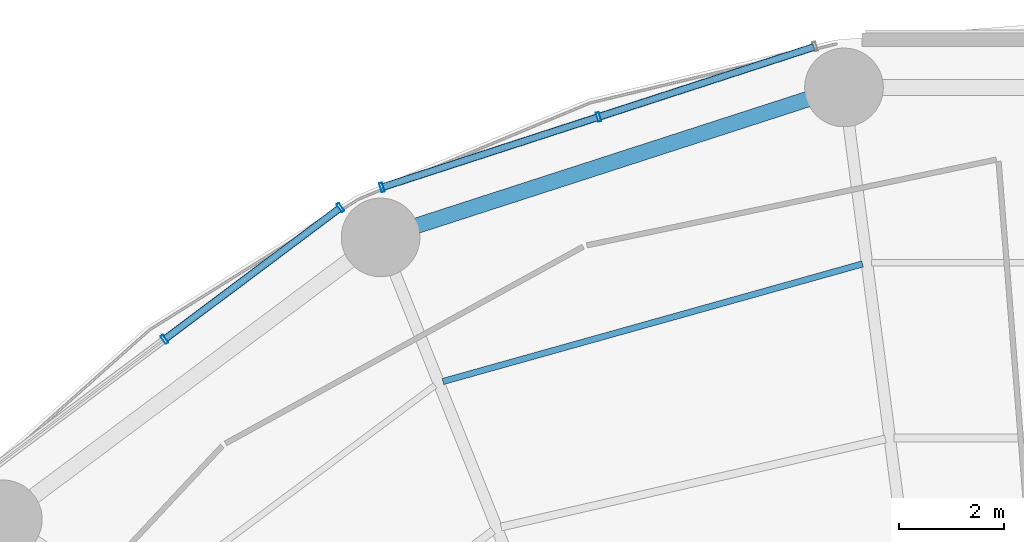
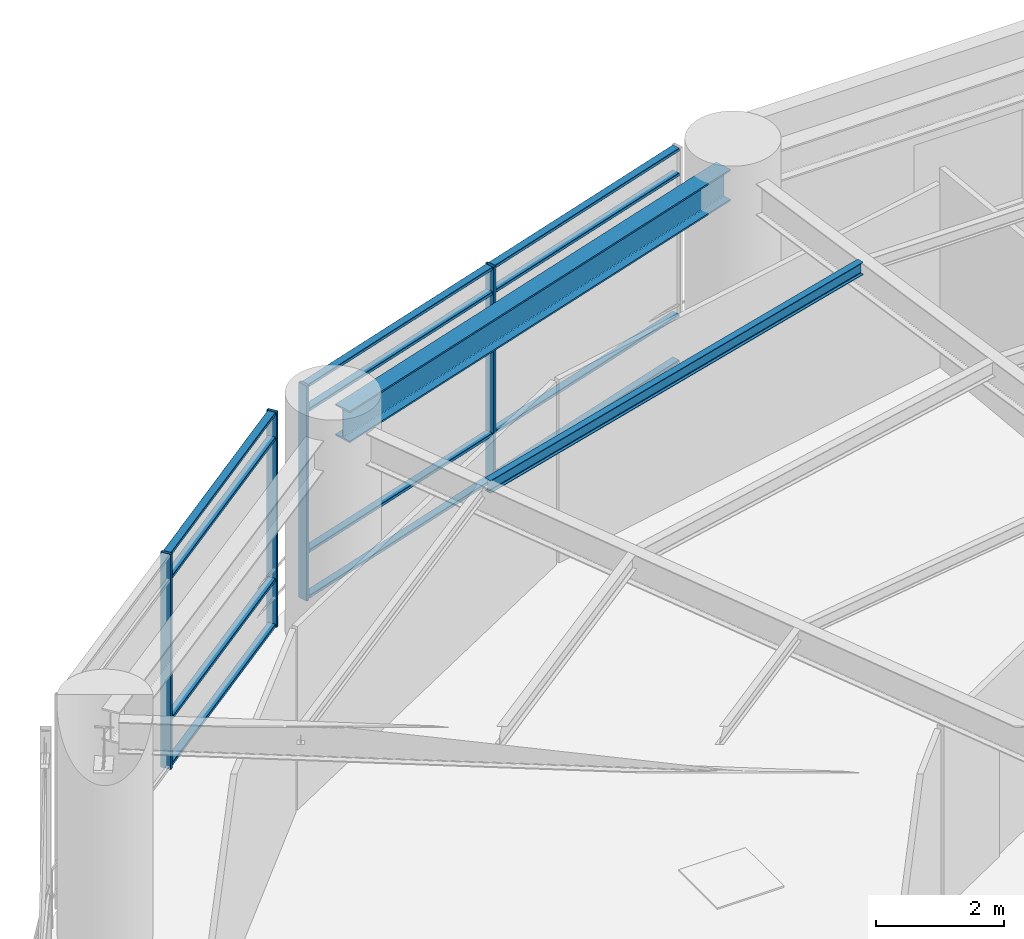
# One storey, part 31 of 52: 16 members, 2 beams, 2 elements without a shape of their own.
"""IFC4 building model written with IfcOpenShell, lengths in metres."""

from ifc_helpers import new_model, si_unit, direction, frame, origin, origin_2d, place, context, subcontext, project, spatial, hollow_rectangle, i_section, extrude, material, layer, layer_set, material_profile, profile_set, type_object, element, aggregate, save


model = new_model("IFC4")

# Units and contexts
model_context = context("Model", 3, precision=1e-05, world=origin(), true_north=direction((0.0, 1.0)))
body_context = subcontext(model_context, "Body", "Model", "MODEL_VIEW")
ifc_project = project(units=[si_unit("LENGTHUNIT", "METRE"), si_unit("AREAUNIT", "SQUARE_METRE"), si_unit("VOLUMEUNIT", "CUBIC_METRE"), si_unit("PLANEANGLEUNIT", "RADIAN"), si_unit("MASSUNIT", "GRAM", prefix="KILO")], contexts=[model_context])

# Site, building, storey
site_placement = place(None, origin())
site = spatial("IfcSite", under=ifc_project, at=site_placement, CompositionType="ELEMENT")
building_placement = place(site_placement, origin())
building = spatial("IfcBuilding", under=site, at=building_placement, Name="Kelanora Arch Commons", CompositionType="ELEMENT")
storey_placement = place(building_placement, frame((0.0, 0.0, 13.5)))
storey = spatial("IfcBuildingStorey", under=building, at=storey_placement, Name="L03", CompositionType="ELEMENT", Elevation=13.5)

# Beams
ifc_material_1 = material(Name="Steel S355", Category="steel")
ifc_material_profile_1 = material_profile(ifc_material_1, i_section(OverallWidth=0.1201171875, OverallDepth=0.239990234375, WebThickness=0.006103515625, FlangeThickness=0.009765625, FilletRadius=0.014892578125, at=origin_2d()), Name="IPE240")
ifc_profile_set_1 = profile_set([ifc_material_profile_1], Name="Steel S355")
beam_type_1 = type_object("IfcBeamType", Name="BM-JST-02", PredefinedType="JOIST", material=ifc_profile_set_1)
beam_1_placement = place(storey_placement, frame((69.652099609375, 78.348388671875, 3.97998046875), z_axis=(-0.962914880978, -0.269805359456, 0.0), x_axis=(0.269805359456, -0.962914880978, 0.0)))
element("IfcBeam", 1, at=beam_1_placement, inside=storey, type_object=beam_type_1, Name="Secondary Chord Joist BJC-10 L03", PredefinedType="JOIST", context=body_context, shape_type="SweptSolid", body=[
    extrude(i_section(OverallWidth=0.1201171875, OverallDepth=0.239990234375, WebThickness=0.006103515625, FlangeThickness=0.009765625, FilletRadius=0.014892578125, at=origin_2d()), origin(), (0.0, 0.0, 1.0), 8.310302734375),
])
ifc_material_profile_2 = material_profile(ifc_material_1, i_section(OverallWidth=0.300048828125, OverallDepth=0.60009765625, WebThickness=0.015380859375, FlangeThickness=0.030029296875, FilletRadius=0.027099609375, at=origin_2d()), Name="HEB600")
ifc_profile_set_2 = profile_set([ifc_material_profile_2], Name="Steel S355")
beam_type_2 = type_object("IfcBeamType", Name="BM-SPN-Z1", PredefinedType="SPANDREL", material=ifc_profile_set_2)
beam_2_placement = place(storey_placement, frame((69.08837890625, 81.646484375, 3.800048828125), z_axis=(-0.951411479564, -0.307922387224, 0.0), x_axis=(0.307922387224, -0.951411479564, 0.0)))
element("IfcBeam", 2, at=beam_2_placement, inside=storey, type_object=beam_type_2, Name="Perimeter Spandrel Beam BS-10 L03", PredefinedType="SPANDREL", context=body_context, shape_type="SweptSolid", body=[
    extrude(i_section(OverallWidth=0.300048828125, OverallDepth=0.60009765625, WebThickness=0.015380859375, FlangeThickness=0.030029296875, FilletRadius=0.027099609375, at=origin_2d()), origin(), (0.0, 0.0, 1.0), 8.84912109375),
])

# Curtain wall, members
ifc_material_2 = material(Name="Terracotta ceramic-fritted low-E glass and aluminium", Category="masonry")
ifc_layer = layer(ifc_material_2, 0.2099609375)
ifc_layer_set = layer_set([ifc_layer], Name="Terracotta ceramic-fritted low-E glass and aluminium")
curtain_wall_type = type_object("IfcCurtainWallType", Name="CW-SYS-04", PredefinedType="NOTDEFINED", material=ifc_layer_set)
curtain_wall_1_placement = place(storey_placement, origin())
curtain_wall_1 = element("IfcCurtainWall", 3, at=curtain_wall_1_placement, inside=storey, type_object=curtain_wall_type, Name="Unitised Curtain Wall L03-B05", PredefinedType="NOTDEFINED")
ifc_material_3 = material(Name="Powder-coated aluminium terracotta", Category="masonry")
ifc_material_profile_3 = material_profile(ifc_material_3, hollow_rectangle(XDim=0.179931640625, YDim=0.06005859375, WallThickness=0.0048828125, InnerFilletRadius=0.0048828125, OuterFilletRadius=0.010009765625, at=origin_2d()), Name="CWM180x60")
ifc_profile_set_3 = profile_set([ifc_material_profile_3], Name="Powder-coated aluminium terracotta")
member_type_1 = type_object("IfcMemberType", Name="CWM-HVY", PredefinedType="MULLION", material=ifc_profile_set_3)
member_1_placement = place(storey_placement, frame((64.61669921875, 81.15087890625, 0.0), z_axis=(0.0, 0.0, 1.0), x_axis=(0.309069531911, -0.951039444211, 0.0)))
member_1 = element("IfcMember", 4, at=member_1_placement, type_object=member_type_1, Name="CW-04 mullion 2", PredefinedType="MULLION", context=body_context, shape_type="SweptSolid", body=[
    extrude(hollow_rectangle(XDim=0.179931640625, YDim=0.06005859375, WallThickness=0.0048828125, InnerFilletRadius=0.0048828125, OuterFilletRadius=0.010009765625, at=origin_2d()), origin(), (0.0, 0.0, 1.0), 4.0849609375),
])
member_2_placement = place(storey_placement, frame((60.48486328125, 79.80810546875, 0.0), z_axis=(0.0, 0.0, 1.0), x_axis=(0.309069531911, -0.951039444211, 0.0)))
member_2 = element("IfcMember", 5, at=member_2_placement, type_object=member_type_1, Name="CW-04 mullion 3", PredefinedType="MULLION", context=body_context, shape_type="SweptSolid", body=[
    extrude(hollow_rectangle(XDim=0.179931640625, YDim=0.06005859375, WallThickness=0.0048828125, InnerFilletRadius=0.0048828125, OuterFilletRadius=0.010009765625, at=origin_2d()), origin(), (0.0, 0.0, 1.0), 4.0849609375),
])

curtain_wall_2_placement = place(storey_placement, origin())
curtain_wall_2 = element("IfcCurtainWall", 6, at=curtain_wall_2_placement, inside=storey, type_object=curtain_wall_type, Name="Unitised Curtain Wall L03-B06", PredefinedType="NOTDEFINED")
member_3_placement = place(storey_placement, frame((59.6943359375, 79.421630859375, 0.0), z_axis=(0.0, 0.0, 1.0), x_axis=(0.59959262407, -0.800305369944, 0.0)))
member_3 = element("IfcMember", 7, at=member_3_placement, type_object=member_type_1, Name="CW-04 mullion 1", PredefinedType="MULLION", context=body_context, shape_type="SweptSolid", body=[
    extrude(hollow_rectangle(XDim=0.179931640625, YDim=0.06005859375, WallThickness=0.0048828125, InnerFilletRadius=0.0048828125, OuterFilletRadius=0.010009765625, at=origin_2d()), origin(), (0.0, 0.0, 1.0), 4.0849609375),
])
member_4_placement = place(storey_placement, frame((56.3388671875, 76.90771484375, 0.0), z_axis=(0.0, 0.0, 1.0), x_axis=(0.59959262407, -0.800305369944, 0.0)))
member_4 = element("IfcMember", 8, at=member_4_placement, type_object=member_type_1, Name="CW-04 mullion 2", PredefinedType="MULLION", context=body_context, shape_type="SweptSolid", body=[
    extrude(hollow_rectangle(XDim=0.179931640625, YDim=0.06005859375, WallThickness=0.0048828125, InnerFilletRadius=0.0048828125, OuterFilletRadius=0.010009765625, at=origin_2d()), origin(), (0.0, 0.0, 1.0), 4.0849609375),
])

# Member
ifc_material_profile_4 = material_profile(ifc_material_3, hollow_rectangle(XDim=0.139892578125, YDim=0.06005859375, WallThickness=0.0048828125, InnerFilletRadius=0.0048828125, OuterFilletRadius=0.010009765625, at=origin_2d()), Name="CWT140x60")
ifc_profile_set_4 = profile_set([ifc_material_profile_4], Name="Powder-coated aluminium terracotta")
member_type_2 = type_object("IfcMemberType", Name="CWT-HVY", PredefinedType="USERDEFINED", material=ifc_profile_set_4)
member_5_placement = place(storey_placement, frame((68.719970703125, 82.484375, 0.030029296875), z_axis=(-0.951038256166, -0.309073187624, 0.0), x_axis=(0.309073187624, -0.951038256166, 0.0)))
member_5 = element("IfcMember", 9, at=member_5_placement, type_object=member_type_2, Name="CW-04 transom 1.1", ObjectType="TRANSOM", PredefinedType="USERDEFINED", context=body_context, shape_type="SweptSolid", body=[
    extrude(hollow_rectangle(XDim=0.139892578125, YDim=0.06005859375, WallThickness=0.0048828125, InnerFilletRadius=0.0048828125, OuterFilletRadius=0.010009765625, at=origin_2d()), origin(), (0.0, 0.0, 1.0), 4.284423828125),
])

member_6_placement = place(storey_placement, frame((68.719970703125, 82.484375, 0.89990234375), z_axis=(-0.951038256166, -0.309073187624, 0.0), x_axis=(0.309073187624, -0.951038256166, 0.0)))
member_6 = element("IfcMember", 10, at=member_6_placement, type_object=member_type_2, Name="CW-04 transom 1.2", ObjectType="TRANSOM", PredefinedType="USERDEFINED", context=body_context, shape_type="SweptSolid", body=[
    extrude(hollow_rectangle(XDim=0.139892578125, YDim=0.06005859375, WallThickness=0.0048828125, InnerFilletRadius=0.0048828125, OuterFilletRadius=0.010009765625, at=origin_2d()), origin(), (0.0, 0.0, 1.0), 4.284423828125),
])

member_7_placement = place(storey_placement, frame((68.719970703125, 82.484375, 3.5849609375), z_axis=(-0.951038256166, -0.309073187624, 0.0), x_axis=(0.309073187624, -0.951038256166, 0.0)))
member_7 = element("IfcMember", 11, at=member_7_placement, type_object=member_type_2, Name="CW-04 transom 1.3", ObjectType="TRANSOM", PredefinedType="USERDEFINED", context=body_context, shape_type="SweptSolid", body=[
    extrude(hollow_rectangle(XDim=0.139892578125, YDim=0.06005859375, WallThickness=0.0048828125, InnerFilletRadius=0.0048828125, OuterFilletRadius=0.010009765625, at=origin_2d()), origin(), (0.0, 0.0, 1.0), 4.284423828125),
])

member_8_placement = place(storey_placement, frame((68.719970703125, 82.484375, 4.054931640625), z_axis=(-0.951038256166, -0.309073187624, 0.0), x_axis=(0.309073187624, -0.951038256166, 0.0)))
member_8 = element("IfcMember", 12, at=member_8_placement, type_object=member_type_2, Name="CW-04 transom 1.4", ObjectType="TRANSOM", PredefinedType="USERDEFINED", context=body_context, shape_type="SweptSolid", body=[
    extrude(hollow_rectangle(XDim=0.139892578125, YDim=0.06005859375, WallThickness=0.0048828125, InnerFilletRadius=0.0048828125, OuterFilletRadius=0.010009765625, at=origin_2d()), origin(), (0.0, 0.0, 1.0), 4.284423828125),
])

member_9_placement = place(storey_placement, frame((64.588134765625, 81.1416015625, 0.030029296875), z_axis=(-0.951038256166, -0.309073187624, 0.0), x_axis=(0.309073187624, -0.951038256166, 0.0)))
member_9 = element("IfcMember", 13, at=member_9_placement, type_object=member_type_2, Name="CW-04 transom 2.1", ObjectType="TRANSOM", PredefinedType="USERDEFINED", context=body_context, shape_type="SweptSolid", body=[
    extrude(hollow_rectangle(XDim=0.139892578125, YDim=0.06005859375, WallThickness=0.0048828125, InnerFilletRadius=0.0048828125, OuterFilletRadius=0.010009765625, at=origin_2d()), origin(), (0.0, 0.0, 1.0), 4.284423828125),
])

member_10_placement = place(storey_placement, frame((64.588134765625, 81.1416015625, 0.89990234375), z_axis=(-0.951038256166, -0.309073187624, 0.0), x_axis=(0.309073187624, -0.951038256166, 0.0)))
member_10 = element("IfcMember", 14, at=member_10_placement, type_object=member_type_2, Name="CW-04 transom 2.2", ObjectType="TRANSOM", PredefinedType="USERDEFINED", context=body_context, shape_type="SweptSolid", body=[
    extrude(hollow_rectangle(XDim=0.139892578125, YDim=0.06005859375, WallThickness=0.0048828125, InnerFilletRadius=0.0048828125, OuterFilletRadius=0.010009765625, at=origin_2d()), origin(), (0.0, 0.0, 1.0), 4.284423828125),
])

member_11_placement = place(storey_placement, frame((64.588134765625, 81.1416015625, 3.5849609375), z_axis=(-0.951038256166, -0.309073187624, 0.0), x_axis=(0.309073187624, -0.951038256166, 0.0)))
member_11 = element("IfcMember", 15, at=member_11_placement, type_object=member_type_2, Name="CW-04 transom 2.3", ObjectType="TRANSOM", PredefinedType="USERDEFINED", context=body_context, shape_type="SweptSolid", body=[
    extrude(hollow_rectangle(XDim=0.139892578125, YDim=0.06005859375, WallThickness=0.0048828125, InnerFilletRadius=0.0048828125, OuterFilletRadius=0.010009765625, at=origin_2d()), origin(), (0.0, 0.0, 1.0), 4.284423828125),
])

member_12_placement = place(storey_placement, frame((64.588134765625, 81.1416015625, 4.054931640625), z_axis=(-0.951038256166, -0.309073187624, 0.0), x_axis=(0.309073187624, -0.951038256166, 0.0)))
member_12 = element("IfcMember", 16, at=member_12_placement, type_object=member_type_2, Name="CW-04 transom 2.4", ObjectType="TRANSOM", PredefinedType="USERDEFINED", context=body_context, shape_type="SweptSolid", body=[
    extrude(hollow_rectangle(XDim=0.139892578125, YDim=0.06005859375, WallThickness=0.0048828125, InnerFilletRadius=0.0048828125, OuterFilletRadius=0.010009765625, at=origin_2d()), origin(), (0.0, 0.0, 1.0), 4.284423828125),
])

aggregate(curtain_wall_1, [member_1, member_2, member_5, member_6, member_7, member_8, member_9, member_10, member_11, member_12])

member_13_placement = place(storey_placement, frame((59.67041015625, 79.40380859375, 0.030029296875), z_axis=(-0.800283447768, -0.599621883547, 0.0), x_axis=(0.599621883547, -0.800283447768, 0.0)))
member_13 = element("IfcMember", 17, at=member_13_placement, type_object=member_type_2, Name="CW-04 transom 1.1", ObjectType="TRANSOM", PredefinedType="USERDEFINED", context=body_context, shape_type="SweptSolid", body=[
    extrude(hollow_rectangle(XDim=0.139892578125, YDim=0.06005859375, WallThickness=0.0048828125, InnerFilletRadius=0.0048828125, OuterFilletRadius=0.010009765625, at=origin_2d()), origin(), (0.0, 0.0, 1.0), 4.133056640625),
])

member_14_placement = place(storey_placement, frame((59.67041015625, 79.40380859375, 0.89990234375), z_axis=(-0.800283447768, -0.599621883547, 0.0), x_axis=(0.599621883547, -0.800283447768, 0.0)))
member_14 = element("IfcMember", 18, at=member_14_placement, type_object=member_type_2, Name="CW-04 transom 1.2", ObjectType="TRANSOM", PredefinedType="USERDEFINED", context=body_context, shape_type="SweptSolid", body=[
    extrude(hollow_rectangle(XDim=0.139892578125, YDim=0.06005859375, WallThickness=0.0048828125, InnerFilletRadius=0.0048828125, OuterFilletRadius=0.010009765625, at=origin_2d()), origin(), (0.0, 0.0, 1.0), 4.133056640625),
])

member_15_placement = place(storey_placement, frame((59.67041015625, 79.40380859375, 3.5849609375), z_axis=(-0.800283447768, -0.599621883547, 0.0), x_axis=(0.599621883547, -0.800283447768, 0.0)))
member_15 = element("IfcMember", 19, at=member_15_placement, type_object=member_type_2, Name="CW-04 transom 1.3", ObjectType="TRANSOM", PredefinedType="USERDEFINED", context=body_context, shape_type="SweptSolid", body=[
    extrude(hollow_rectangle(XDim=0.139892578125, YDim=0.06005859375, WallThickness=0.0048828125, InnerFilletRadius=0.0048828125, OuterFilletRadius=0.010009765625, at=origin_2d()), origin(), (0.0, 0.0, 1.0), 4.133056640625),
])

member_16_placement = place(storey_placement, frame((59.67041015625, 79.40380859375, 4.054931640625), z_axis=(-0.800283447768, -0.599621883547, 0.0), x_axis=(0.599621883547, -0.800283447768, 0.0)))
member_16 = element("IfcMember", 20, at=member_16_placement, type_object=member_type_2, Name="CW-04 transom 1.4", ObjectType="TRANSOM", PredefinedType="USERDEFINED", context=body_context, shape_type="SweptSolid", body=[
    extrude(hollow_rectangle(XDim=0.139892578125, YDim=0.06005859375, WallThickness=0.0048828125, InnerFilletRadius=0.0048828125, OuterFilletRadius=0.010009765625, at=origin_2d()), origin(), (0.0, 0.0, 1.0), 4.133056640625),
])

aggregate(curtain_wall_2, [member_3, member_4, member_13, member_14, member_15, member_16])

save(model, "model.ifc")
